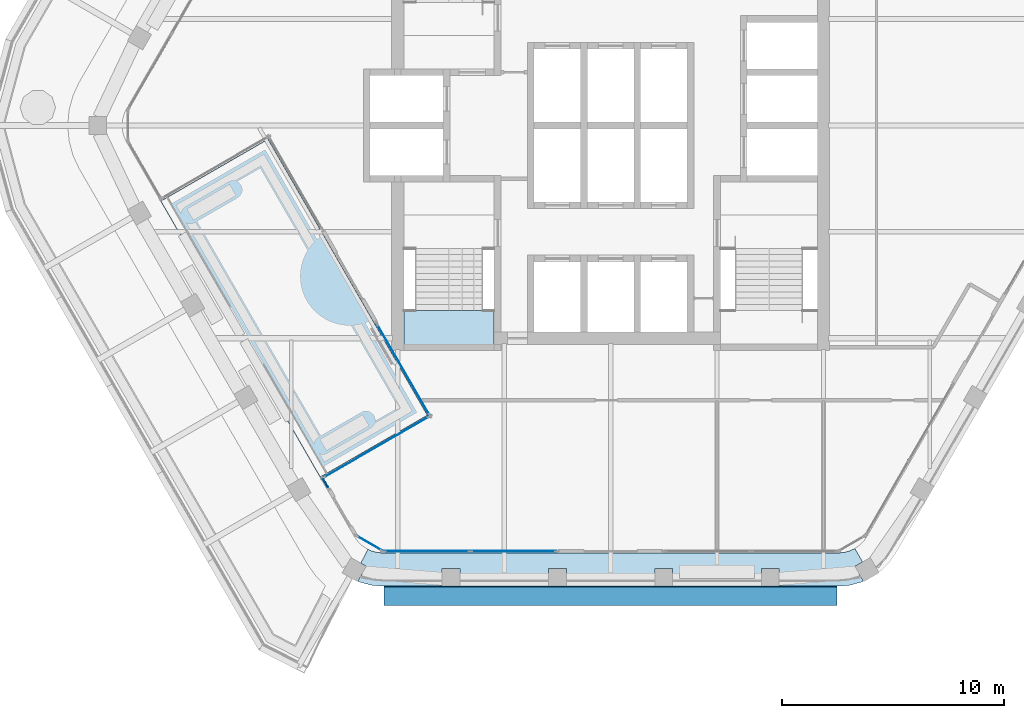
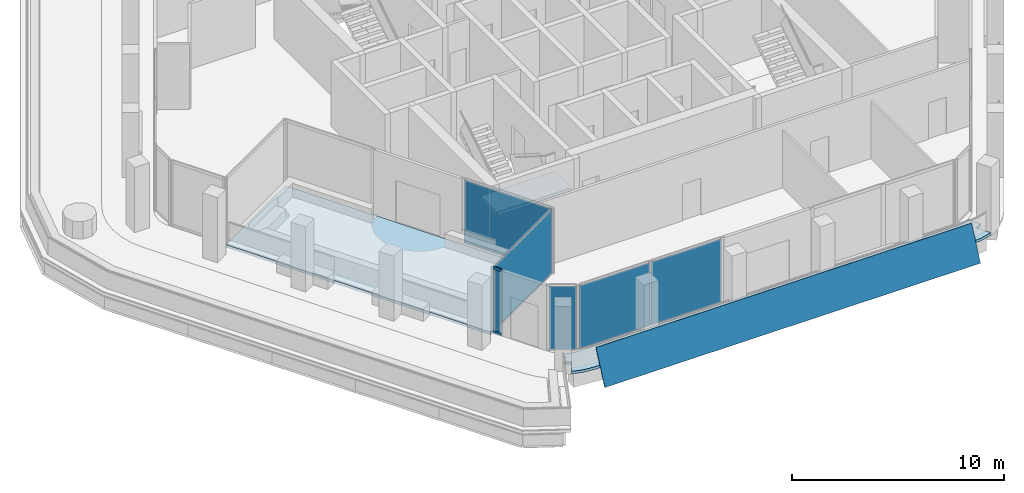
# One storey, part 7 of 15: 7 plates, 3 slabs, 2 members, 6 elements without a shape of their own.
"""IFC4 building model written with IfcOpenShell, lengths in metres."""

from ifc_helpers import new_model, si_unit, direction, frame, origin, origin_2d, place, context, subcontext, project, spatial, polyline, rectangle, outline, extrude, material, layer, layer_set, material_profile, profile_set, type_object, element, aggregate, save


model = new_model("IFC4")

# Units and contexts
model_context = context("Model", 3, precision=1e-05, world=origin(), true_north=direction((0.0, 1.0)))
body_context = subcontext(model_context, "Body", "Model", "MODEL_VIEW")
ifc_project = project(units=[si_unit("LENGTHUNIT", "METRE"), si_unit("AREAUNIT", "SQUARE_METRE"), si_unit("VOLUMEUNIT", "CUBIC_METRE"), si_unit("PLANEANGLEUNIT", "RADIAN"), si_unit("MASSUNIT", "GRAM", prefix="KILO")], contexts=[model_context])

# Site, building, storey
site_placement = place(None, origin())
site = spatial("IfcSite", under=ifc_project, at=site_placement, CompositionType="ELEMENT")
building_placement = place(site_placement, origin())
building = spatial("IfcBuilding", under=site, at=building_placement, Name="Kolab Exchange Tower", CompositionType="ELEMENT")
storey_placement = place(building_placement, frame((0.0, 0.0, 238.39990234375)))
storey = spatial("IfcBuildingStorey", under=building, at=storey_placement, Name="L52", CompositionType="ELEMENT", Elevation=238.39990234375)

# Curtain wall, members
ifc_material_1 = material(Name="Aluminium EN AW-6063 T6", Category="aluminium")
curtain_wall_type = type_object("IfcCurtainWallType", Name="UNITISED HIGH ZONE CURTAIN WALL", PredefinedType="NOTDEFINED", material=ifc_material_1)
curtain_wall_1_placement = place(storey_placement, origin())
curtain_wall_1 = element("IfcCurtainWall", 1, at=curtain_wall_1_placement, inside=storey, type_object=curtain_wall_type, Name="cw/L52/F5-l-1", PredefinedType="NOTDEFINED")
ifc_material_profile = material_profile(ifc_material_1, rectangle(XDim=0.06005859375, YDim=0.159912109375, at=origin_2d()), Name="RECT 60X160")
ifc_profile_set = profile_set([ifc_material_profile], Name="Aluminium EN AW-6063 T6")
member_type = type_object("IfcMemberType", Name="UNITISED HIGH ZONE TRANSOM 60 X 160", PredefinedType="USERDEFINED", material=ifc_profile_set)
member_1_placement = place(storey_placement, frame((-12.7578125, -16.312255859375, 0.030029296875), z_axis=(-0.499808815652, 0.866135755986, 0.0), x_axis=(-0.866135755986, -0.499808815652, 0.0)))
member_1 = element("IfcMember", 2, at=member_1_placement, type_object=member_type, Name="CW4 transom 1.1", ObjectType="TRANSOM", PredefinedType="USERDEFINED", context=body_context, shape_type="SweptSolid", body=[
    extrude(rectangle(XDim=0.06005859375, YDim=0.159912109375, at=origin_2d()), origin(), (0.0, 0.0, 1.0), 0.407958984375),
])
member_2_placement = place(storey_placement, frame((-12.7578125, -16.312255859375, 3.72021484375), z_axis=(-0.499808815652, 0.866135755986, 0.0), x_axis=(-0.866135755986, -0.499808815652, 0.0)))
member_2 = element("IfcMember", 3, at=member_2_placement, type_object=member_type, Name="CW4 transom 1.2", ObjectType="TRANSOM", PredefinedType="USERDEFINED", context=body_context, shape_type="SweptSolid", body=[
    extrude(rectangle(XDim=0.06005859375, YDim=0.159912109375, at=origin_2d()), origin(), (0.0, 0.0, 1.0), 0.407958984375),
])

# Slab
ifc_material_2 = material(Name="Concrete C35/45", Category="concrete")
ifc_layer_1 = layer(ifc_material_2, 0.14990234375)
ifc_layer_set_1 = layer_set([ifc_layer_1], Name="Concrete C35/45")
slab_type_1 = type_object("IfcSlabType", Name="LOGGIA SLAB 150", PredefinedType="FLOOR", material=ifc_layer_set_1)
slab_1_placement = place(storey_placement, frame((0.0, 0.0, -0.14990234375)))
element("IfcSlab", 4, at=slab_1_placement, inside=storey, type_object=slab_type_1, Name="slab/L52/loggia/3-0", PredefinedType="FLOOR", context=body_context, shape_type="SweptSolid", body=[
    extrude(outline(polyline([(-10.781005859375, -19.194091796875), (-10.948974609375, -19.11572265625), (-11.271728515625, -19.745361328125), (-11.021484375, -19.889892578125), (-11.404052734375, -20.552490234375), (-11.2939453125, -20.603759765625), (-10.788818359375, -20.739013671875), (-10.26806640625, -20.78466796875), (-7.60009765625, -20.78466796875), (-7.60009765625, -19.984619140625), (-6.800048828125, -19.984619140625), (-6.800048828125, -20.78466796875), (-2.800048828125, -20.78466796875), (-2.800048828125, -19.984619140625), (-2.0, -19.984619140625), (-2.0, -20.78466796875), (2.0, -20.78466796875), (2.0, -19.984619140625), (2.800048828125, -19.984619140625), (2.800048828125, -20.78466796875), (6.800048828125, -20.78466796875), (6.800048828125, -19.984619140625), (7.60009765625, -19.984619140625), (7.60009765625, -20.78466796875), (10.26806640625, -20.78466796875), (10.788818359375, -20.739013671875), (11.2939453125, -20.603759765625), (11.404052734375, -20.552490234375), (11.021484375, -19.889892578125), (11.367919921875, -19.68994140625), (11.01806640625, -19.083740234375), (10.781005859375, -19.194091796875), (10.5283203125, -19.26171875), (10.26806640625, -19.28466796875), (-10.26806640625, -19.28466796875), (-10.5283203125, -19.26171875), (-10.781005859375, -19.194091796875)])), origin(), (0.0, 0.0, 1.0), 0.14990234375),
])

# Plate
ifc_material_3 = material(Name="Laminated glass, clear", Category="glass")
ifc_layer_2 = layer(ifc_material_3, 0.0400390625)
ifc_layer_set_2 = layer_set([ifc_layer_2], Name="Laminated glass, clear")
plate_type_1 = type_object("IfcPlateType", Name="OUTER SKIN LAMINATED GLASS SHEET 40", PredefinedType="SHEET", material=ifc_layer_set_2)
plate_1_placement = place(storey_placement, frame((10.218017578125, -21.66015625, -0.68310546875), z_axis=(0.0, -0.906311853188, 0.422609541742), x_axis=(-1.0, 0.0, 0.0)))
element("IfcPlate", 5, at=plate_1_placement, inside=storey, type_object=plate_type_1, Name="Outer skin", PredefinedType="SHEET", context=body_context, shape_type="SweptSolid", body=[
    extrude(outline(polyline([(0.0, 0.0), (20.43603515625, 0.0), (20.43603515625, -1.9861252192534886), (0.0, -1.9861252192534886), (0.0, 0.0)])), origin(), (0.0, 0.0, -1.0), 0.0400390625),
])

# Stair, slab
ifc_material_4 = material(Name="Concrete C50/60", Category="concrete")
stair_type = type_object("IfcStairType", Name="STAIR ST3 RISER 177.3", PredefinedType="HALF_TURN_STAIR", material=ifc_material_4)
stair_placement = place(storey_placement, origin())
stair = element("IfcStair", 6, at=stair_placement, inside=storey, type_object=stair_type, Name="Stair 3", PredefinedType="HALF_TURN_STAIR")
ifc_layer_3 = layer(ifc_material_4, 0.199951171875)
ifc_layer_set_3 = layer_set([ifc_layer_3], Name="Concrete C50/60")
slab_type_2 = type_object("IfcSlabType", Name="STAIR LANDING 200", PredefinedType="LANDING", material=ifc_layer_set_3)
slab_2_placement = place(storey_placement, frame((0.0, 0.0, 1.75)))
slab_2 = element("IfcSlab", 7, at=slab_2_placement, type_object=slab_type_2, Name="ST3 landing 2", PredefinedType="LANDING", context=body_context, shape_type="SweptSolid", body=[
    extrude(outline(polyline([(-9.324951171875, -9.909912109375), (-5.25, -9.909912109375), (-5.25, -8.35009765625), (-9.324951171875, -8.35009765625), (-9.324951171875, -9.909912109375)])), origin(), (0.0, 0.0, 1.0), 0.2001953125),
])
aggregate(stair, [slab_2])

# Slab
ifc_layer_4 = layer(ifc_material_2, 0.14990234375)
ifc_layer_set_4 = layer_set([ifc_layer_4], Name="Concrete C35/45")
slab_type_3 = type_object("IfcSlabType", Name="TERRACE SLAB 150 PLANTED", PredefinedType="ROOF", material=ifc_layer_set_4)
slab_3_placement = place(storey_placement, frame((0.0, 0.0, -0.14990234375)))
element("IfcSlab", 8, at=slab_3_placement, inside=storey, type_object=slab_type_3, Name="Roof terrace", PredefinedType="ROOF", context=body_context, shape_type="SweptSolid", body=[
    extrude(outline(polyline([(-13.10107421875, -15.877685546875), (-8.251220703125, -13.07763671875), (-15.451171875, -0.60693359375), (-20.301025390625, -3.406982421875), (-13.10107421875, -15.877685546875)])), origin(), (0.0, 0.0, 1.0), 0.14990234375),
])

# Curtain wall, plates
curtain_wall_2_placement = place(storey_placement, origin())
curtain_wall_2 = element("IfcCurtainWall", 9, at=curtain_wall_2_placement, inside=storey, type_object=curtain_wall_type, Name="cw/L52/F4-2", PredefinedType="NOTDEFINED")
ifc_material_5 = material(Name="Clear insulated glazing unit", Category="glass")
ifc_layer_5 = layer(ifc_material_5, 0.030029296875)
ifc_layer_set_5 = layer_set([ifc_layer_5], Name="Clear insulated glazing unit")
plate_type_2 = type_object("IfcPlateType", Name="UNITISED HIGH ZONE GLASS PANEL 30", PredefinedType="CURTAIN_PANEL", material=ifc_layer_set_5)
plate_2_placement = place(storey_placement, frame((-4.382080078125, -19.20458984375, 0.06005859375), z_axis=(0.0, 0.0, 1.0), x_axis=(-1.0, 0.0, 0.0)))
plate_2 = element("IfcPlate", 10, at=plate_2_placement, type_object=plate_type_2, Name="CW4 panel 1.1", PredefinedType="CURTAIN_PANEL", context=body_context, shape_type="SweptSolid", body=[
    extrude(rectangle(XDim=3.843994140625, YDim=0.030029296875, at=origin_2d()), origin(), (0.0, 0.0, 1.0), 3.6298828125),
])
plate_3_placement = place(storey_placement, frame((-8.285888671875, -19.20458984375, 0.06005859375), z_axis=(0.0, 0.0, 1.0), x_axis=(-1.0, 0.0, 0.0)))
plate_3 = element("IfcPlate", 11, at=plate_3_placement, type_object=plate_type_2, Name="CW4 panel 2.1", PredefinedType="CURTAIN_PANEL", context=body_context, shape_type="SweptSolid", body=[
    extrude(rectangle(XDim=3.843994140625, YDim=0.030029296875, at=origin_2d()), origin(), (0.0, 0.0, 1.0), 3.6298828125),
])
aggregate(curtain_wall_2, [plate_2, plate_3])

# Plate
plate_4_placement = place(storey_placement, frame((-12.859619140625, -16.135498046875, 0.06005859375), z_axis=(0.0, 0.0, 1.0), x_axis=(-0.500000091793, 0.866025350788, 0.0)))
plate_4 = element("IfcPlate", 12, at=plate_4_placement, type_object=plate_type_2, Name="CW4 panel 1.1", PredefinedType="CURTAIN_PANEL", context=body_context, shape_type="SweptSolid", body=[
    extrude(rectangle(XDim=0.407958984375, YDim=0.030029296875, at=origin_2d()), origin(), (0.0, 0.0, 1.0), 3.6298828125),
])

aggregate(curtain_wall_1, [member_1, member_2, plate_4])

# Curtain wall, plate
curtain_wall_3_placement = place(storey_placement, origin())
curtain_wall_3 = element("IfcCurtainWall", 13, at=curtain_wall_3_placement, inside=storey, type_object=curtain_wall_type, Name="cw/L52/F5-rl-1", PredefinedType="NOTDEFINED")
plate_5_placement = place(storey_placement, frame((-10.56689453125, -14.507080078125, 0.06005859375), z_axis=(0.0, 0.0, 1.0), x_axis=(0.866025392126, 0.500000020194, 0.0)))
plate_5 = element("IfcPlate", 14, at=plate_5_placement, type_object=plate_type_2, Name="CW4 panel 1.1", PredefinedType="CURTAIN_PANEL", context=body_context, shape_type="SweptSolid", body=[
    extrude(rectangle(XDim=5.47998046875, YDim=0.030029296875, at=origin_2d()), origin(), (0.0, 0.0, 1.0), 3.6298828125),
])
aggregate(curtain_wall_3, [plate_5])

curtain_wall_4_placement = place(storey_placement, origin())
curtain_wall_4 = element("IfcCurtainWall", 15, at=curtain_wall_4_placement, inside=storey, type_object=curtain_wall_type, Name="cw/L52/F5-back-1", PredefinedType="NOTDEFINED")
plate_6_placement = place(storey_placement, frame((-9.355224609375, -11.00537109375, 0.06005859375), z_axis=(0.0, 0.0, 1.0), x_axis=(-0.500000047915, 0.866025376121, 0.0)))
plate_6 = element("IfcPlate", 16, at=plate_6_placement, type_object=plate_type_2, Name="CW4 panel 1.1", PredefinedType="CURTAIN_PANEL", context=body_context, shape_type="SweptSolid", body=[
    extrude(rectangle(XDim=4.7333984375, YDim=0.030029296875, at=origin_2d()), origin(), (0.0, 0.0, 1.0), 3.6298828125),
])
aggregate(curtain_wall_4, [plate_6])

curtain_wall_5_placement = place(storey_placement, origin())
curtain_wall_5 = element("IfcCurtainWall", 17, at=curtain_wall_5_placement, inside=storey, type_object=curtain_wall_type, Name="cw/L52/F4F5-corner", PredefinedType="NOTDEFINED")
plate_7_placement = place(storey_placement, frame((-10.8828125, -18.849609375, 0.06005859375), z_axis=(0.0, 0.0, 1.0), x_axis=(-0.866025390869, 0.50000002237, 0.0)))
plate_7 = element("IfcPlate", 18, at=plate_7_placement, type_object=plate_type_2, Name="CW4 panel 1.1", PredefinedType="CURTAIN_PANEL", context=body_context, shape_type="SweptSolid", body=[
    extrude(rectangle(XDim=1.300048828125, YDim=0.030029296875, at=origin_2d()), origin(), (0.0, 0.0, 1.0), 3.6298828125),
])
aggregate(curtain_wall_5, [plate_7])

save(model, "model.ifc")
